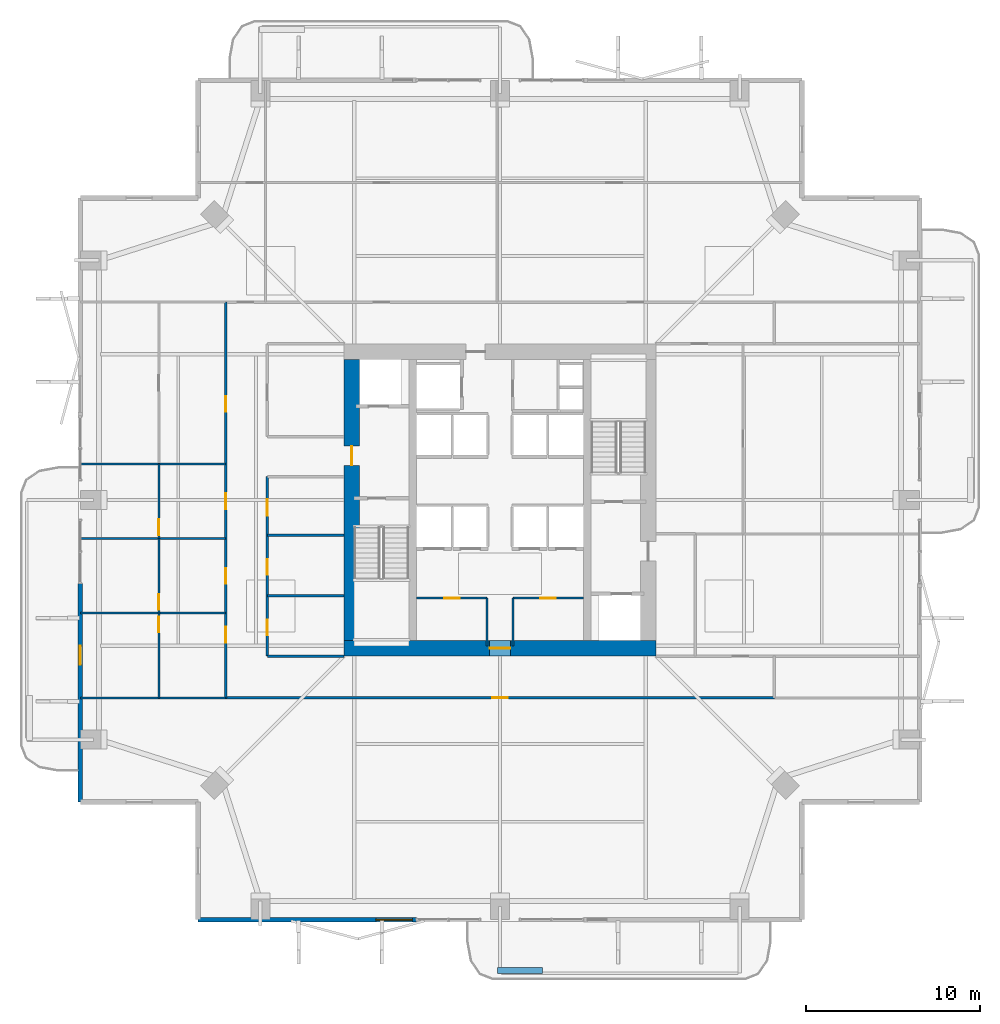
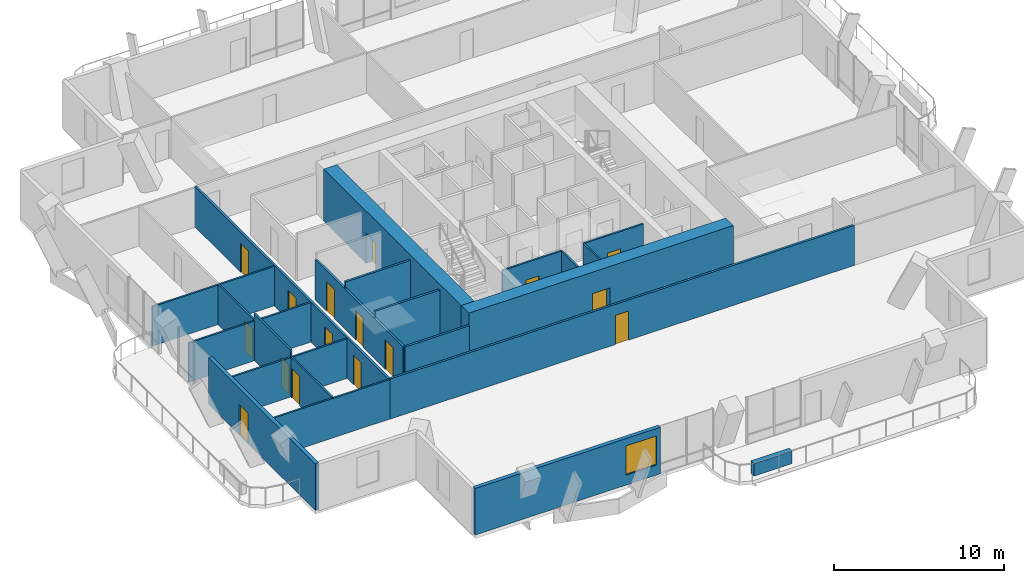
# One storey, part 18 of 24: 22 walls, 16 doors, 1 window, 17 openings.
"""IFC4 building model written with IfcOpenShell, lengths in metres."""

import ifcopenshell
import ifcopenshell.guid

model = None  # the IFC model being written
_history = None  # IfcOwnerHistory: only IFC2X3 demands one
_inside = {}  # id of a spatial element -> (the spatial element, [elements in it])
_under = {}  # id of a project, library or spatial element -> (it, [spatial elements below it])
_declared = {}  # id of a project -> (the project, [libraries it declares])
_typed = {}  # id of a type object -> (the type object, [elements of that type])
_made_of = {}  # id of a material, layer set ... -> (it, [elements and type objects made of it])


def new_model(schema):
    """Start an empty IFC model of exactly this schema.

    Asked for "IFC4X3", IfcOpenShell would pick the latest addendum, in which some entities
    have other attributes; the version numbers below select the first issue.
    IFC2X3 requires an IfcOwnerHistory on every rooted entity: one is made here for all.
    """
    global model, _history
    if schema == "IFC4X3":
        model = ifcopenshell.file(schema_version=(4, 3, 0, 0))
    else:
        model = ifcopenshell.file(schema=schema)
    _inside.clear()
    _under.clear()
    _declared.clear()
    _typed.clear()
    _made_of.clear()
    _history = None
    if model.schema == "IFC2X3":
        org = make("IfcOrganization", Name="unknown")
        user = make(
            "IfcPersonAndOrganization",
            ThePerson=make("IfcPerson", FamilyName="unknown"),
            TheOrganization=org,
        )
        app = make(
            "IfcApplication",
            ApplicationDeveloper=org,
            Version="unknown",
            ApplicationFullName="unknown",
            ApplicationIdentifier="unknown",
        )
        _history = make(
            "IfcOwnerHistory",
            OwningUser=user,
            OwningApplication=app,
            ChangeAction="ADDED",
            CreationDate=0,
        )
    return model


def make(cls, **values):
    """One entity of the class cls with the attributes given. An attribute that is None is left unset."""
    return model.create_entity(
        cls, **{name: value for name, value in values.items() if value is not None}
    )


def rooted(cls, **values):
    """An entity with a GlobalId (a new one), such as an element, a storey or a relation."""
    return make(cls, GlobalId=ifcopenshell.guid.new(), OwnerHistory=_history, **values)


def si_unit(unit_type, name, prefix=None):
    """IfcSIUnit, for example si_unit("LENGTHUNIT", "METRE", prefix="MILLI")."""
    return make("IfcSIUnit", UnitType=unit_type, Prefix=prefix, Name=name)


def assignment(units):
    """IfcUnitAssignment: the units of a project."""
    return None if units is None else make("IfcUnitAssignment", Units=units)


def point(xyz):
    """IfcCartesianPoint."""
    return None if xyz is None else make("IfcCartesianPoint", Coordinates=xyz)


def direction(xyz):
    """IfcDirection."""
    return None if xyz is None else make("IfcDirection", DirectionRatios=xyz)


def frame(location, z_axis=None, x_axis=None):
    """IfcAxis2Placement3D, a coordinate frame: its origin and axes. An axis left out is left unset."""
    return make(
        "IfcAxis2Placement3D",
        Location=point(location),
        Axis=direction(z_axis),
        RefDirection=direction(x_axis),
    )


def frame_2d(location, x_axis=None):
    """IfcAxis2Placement2D, a coordinate frame in the plane: its origin and x axis."""
    return make(
        "IfcAxis2Placement2D", Location=point(location), RefDirection=direction(x_axis)
    )


def origin():
    """The frame at (0, 0, 0) with its axes left unset."""
    return frame((0.0, 0.0, 0.0))


def place(relative_to, where):
    """IfcLocalPlacement: puts the frame where relative to a parent placement (None: the world)."""
    return make(
        "IfcLocalPlacement", PlacementRelTo=relative_to, RelativePlacement=where
    )


def context(
    kind, dimensions, precision=None, world=None, true_north=None, identifier=None
):
    """IfcGeometricRepresentationContext, for example the 3D "Model" context."""
    return make(
        "IfcGeometricRepresentationContext",
        ContextIdentifier=identifier,
        ContextType=kind,
        CoordinateSpaceDimension=dimensions,
        Precision=precision,
        WorldCoordinateSystem=world,
        TrueNorth=true_north,
    )


def subcontext(parent, identifier, kind, view, scale=None):
    """IfcGeometricRepresentationSubContext, for example "Body" below "Model"."""
    return make(
        "IfcGeometricRepresentationSubContext",
        ContextIdentifier=identifier,
        ContextType=kind,
        ParentContext=parent,
        TargetScale=scale,
        TargetView=view,
    )


def project(units=None, contexts=None):
    """IfcProject with its units and contexts."""
    return rooted(
        "IfcProject",
        Name="project",
        RepresentationContexts=contexts,
        UnitsInContext=assignment(units),
    )


def spatial(cls, under=None, at=None, **own):
    """A site, building, storey or space (cls), placed at a placement, below another one or the project."""
    s = rooted(cls, ObjectPlacement=at, **own)
    if under is not None:
        _under.setdefault(under.id(), (under, []))[1].append(s)
    return s


def profile(cls, at=None, kind="AREA", **sizes):
    """A parametric profile (cls). Its sizes go by their IFC names, for example OverallWidth=200.0."""
    return make(cls, ProfileType=kind, Position=at, **sizes)


def rectangle(**sizes):
    """IfcRectangleProfileDef."""
    return profile("IfcRectangleProfileDef", **sizes)


def extrude(swept, where, along, depth):
    """IfcExtrudedAreaSolid: the profile swept, set in the frame where, extruded along a direction by depth."""
    return make(
        "IfcExtrudedAreaSolid",
        SweptArea=swept,
        Position=where,
        ExtrudedDirection=direction(along),
        Depth=depth,
    )


def shape(context_of_items, identifier, shape_type, items):
    """IfcShapeRepresentation: the items that make up one representation, for example the "Body"."""
    return make(
        "IfcShapeRepresentation",
        ContextOfItems=context_of_items,
        RepresentationIdentifier=identifier,
        RepresentationType=shape_type,
        Items=items,
    )


def material(Name=None, Category=None):
    """IfcMaterial."""
    return make("IfcMaterial", Name=Name, Category=Category)


def layer(
    of_material, thickness, ventilated=None, Name=None, Category=None, Priority=None
):
    """IfcMaterialLayer: one layer of a wall or slab, of a material (None: an air gap)."""
    return make(
        "IfcMaterialLayer",
        Material=of_material,
        LayerThickness=thickness,
        IsVentilated=ventilated,
        Name=Name,
        Category=Category,
        Priority=Priority,
    )


def layer_set(layers, Name=None):
    """IfcMaterialLayerSet."""
    return make("IfcMaterialLayerSet", MaterialLayers=layers, LayerSetName=Name)


def made_of(thing, what):
    """Note that an element or type object is made of a material, layer set ...; save() writes the relation."""
    if what is not None:
        _made_of.setdefault(what.id(), (what, []))[1].append(thing)
    return thing


def type_object(cls, material=None, **own):
    """A type object (cls), such as IfcWallType, which elements share."""
    return made_of(rooted(cls, **own), material)


def element(
    cls,
    number,
    at=None,
    inside=None,
    cuts=None,
    type_object=None,
    material=None,
    context=None,
    identifier="Body",
    shape_type=None,
    held_by="IfcProductDefinitionShape",
    body=None,
    shapes=None,
    **own,
):
    """One element of the class cls, such as IfcWall. Its Tag is "e" and its number.

    at: its placement. inside: the storey or other place that contains it. cuts: it is an
    opening in that element (IfcRelVoidsElement). A single representation is given by context,
    identifier, shape_type and body (its items); several are given by shapes. held_by: the class
    of the entity that holds the representations. save() writes the other relations.
    """
    e = rooted(cls, Tag="e%d" % number, ObjectPlacement=at, **own)
    if body is not None:
        shapes = [shape(context, identifier, shape_type, body)]
    if shapes is not None:
        e.Representation = make(held_by, Representations=shapes)
    if inside is not None:
        _inside.setdefault(inside.id(), (inside, []))[1].append(e)
    if cuts is not None:
        rooted(
            "IfcRelVoidsElement", RelatingBuildingElement=cuts, RelatedOpeningElement=e
        )
    if type_object is not None:
        _typed.setdefault(type_object.id(), (type_object, []))[1].append(e)
    return made_of(e, material)


def fill(opening, filler):
    """IfcRelFillsElement: the door or window that sits in an opening."""
    return rooted(
        "IfcRelFillsElement",
        RelatingOpeningElement=opening,
        RelatedBuildingElement=filler,
    )


def aggregate(whole, parts):
    """IfcRelAggregates: a whole, such as a stair, and the parts it consists of."""
    return rooted("IfcRelAggregates", RelatingObject=whole, RelatedObjects=parts)


def save(model, path):
    """Write the relations noted so far, then the file.

    IfcRelAggregates (storeys below a building ...), IfcRelContainedInSpatialStructure (elements
    in a storey), IfcRelDefinesByType, IfcRelAssociatesMaterial and IfcRelDeclares: one each for
    every whole, place, type object, material and project.
    """
    for whole, parts in _under.values():
        aggregate(whole, parts)
    for where, things in _inside.values():
        rooted(
            "IfcRelContainedInSpatialStructure",
            RelatedElements=things,
            RelatingStructure=where,
        )
    for kind, things in _typed.values():
        rooted("IfcRelDefinesByType", RelatedObjects=things, RelatingType=kind)
    for what, things in _made_of.values():
        rooted("IfcRelAssociatesMaterial", RelatedObjects=things, RelatingMaterial=what)
    for by, libraries in _declared.values():
        rooted("IfcRelDeclares", RelatingContext=by, RelatedDefinitions=libraries)
    model.write(path)


model = new_model("IFC4")

# Units and contexts
model_context = context("Model", 3, precision=1e-05, world=origin(), true_north=direction((0.0, 1.0)))
body_context = subcontext(model_context, "Body", "Model", "MODEL_VIEW")
ifc_project = project(units=[si_unit("LENGTHUNIT", "METRE"), si_unit("AREAUNIT", "SQUARE_METRE"), si_unit("VOLUMEUNIT", "CUBIC_METRE"), si_unit("PLANEANGLEUNIT", "RADIAN"), si_unit("MASSUNIT", "GRAM", prefix="KILO")], contexts=[model_context])

# Site, building, storey
site_placement = place(None, origin())
site = spatial("IfcSite", under=ifc_project, at=site_placement, CompositionType="ELEMENT")
building_placement = place(site_placement, origin())
building = spatial("IfcBuilding", under=site, at=building_placement, Name="Belovzor Exchange Tower", CompositionType="ELEMENT")
storey_placement = place(building_placement, frame((0.0, 0.0, 190.800048828125)))
storey = spatial("IfcBuildingStorey", under=building, at=storey_placement, Name="L47", CompositionType="ELEMENT", Elevation=190.800048828125)

# Wall, opening, door
ifc_material_1 = material(Name="Acoustic Plasterboard on Galvanised Studs", Category="gypsum")
ifc_layer_1 = layer(ifc_material_1, 0.1201171875)
ifc_layer_set_1 = layer_set([ifc_layer_1], Name="Acoustic Plasterboard on Galvanised Studs")
wall_type_1 = type_object("IfcWallType", Name="Acoustic Double-Stud Partition Wall 120", PredefinedType="PARTITIONING", material=ifc_layer_set_1)
wall_1_placement = place(storey_placement, frame((9.14990234375, 17.39990234375, 0.0), z_axis=(0.0, 0.0, 1.0), x_axis=(0.0, 1.0, 0.0)))
wall_1 = element("IfcWall", 1, at=wall_1_placement, inside=storey, type_object=wall_type_1, Name="W-P120 Partition Wall W-L47-WHDIV-0", PredefinedType="PARTITIONING", context=body_context, shape_type="SweptSolid", body=[
    extrude(rectangle(XDim=4.882080078125, YDim=0.1201171875, at=frame_2d((2.44091796875, 0.0))), origin(), (0.0, 0.0, 1.0), 2.885009765625),
])
opening_1_placement = place(wall_1_placement, frame((3.781982421875, 0.0, 0.0)))
opening_1 = element("IfcOpeningElement", 2, at=opening_1_placement, cuts=wall_1, Name="Opening D-INT-090", PredefinedType="OPENING", context=body_context, shape_type="SweptSolid", body=[
    extrude(rectangle(XDim=0.89990234375, YDim=2.10009765625, at=frame_2d((0.449951171875, 1.050048828125))), frame((0.0, 0.070068359375, 0.0), z_axis=(0.0, -1.0, 0.0), x_axis=(1.0, 0.0, 0.0)), (0.0, 0.0, 1.0), 0.14013671875),
])
ifc_material_2 = material(Name="Veneered Hardwood Acoustic Leaf", Category="wood")
door_type_1 = type_object("IfcDoorType", Name="Trading Suite Acoustic Single Door 900x2100", OperationType="NOTDEFINED", PredefinedType="DOOR", material=ifc_material_2)
door_1_placement = place(opening_1_placement, origin())
door_1 = element("IfcDoor", 3, at=door_1_placement, inside=storey, type_object=door_type_1, Name="D-INT-090 Trading Suite Acoustic Single Door 900x2100", OperationType="SINGLE_SWING_LEFT", OverallHeight=2.10009765625, OverallWidth=0.89990234375, PredefinedType="DOOR", context=body_context, shape_type="SweptSolid", body=[
    extrude(rectangle(XDim=0.89990234375, YDim=2.10009765625, at=frame_2d((0.449951171875, 1.050048828125))), frame((0.0, 0.02490234375, 0.0), z_axis=(0.0, -1.0, 0.0), x_axis=(1.0, 0.0, 0.0)), (0.0, 0.0, 1.0), 0.050048828125),
])
fill(opening_1, door_1)

# Wall
wall_2_placement = place(storey_placement, frame((4.6298828125, 22.281982421875, 0.0), z_axis=(0.0, 0.0, 1.0), x_axis=(1.0, 0.0, 0.0)))
element("IfcWall", 4, at=wall_2_placement, inside=storey, type_object=wall_type_1, Name="W-P120 Partition Wall W-L47-WDIV-1", PredefinedType="PARTITIONING", context=body_context, shape_type="SweptSolid", body=[
    extrude(rectangle(XDim=8.3701171875, YDim=0.1201171875, at=frame_2d((4.18505859375, 0.0))), origin(), (0.0, 0.0, 1.0), 2.8349609375),
])

# Wall, opening, door
wall_3_placement = place(storey_placement, frame((9.14990234375, 22.281982421875, 0.0), z_axis=(0.0, 0.0, 1.0), x_axis=(0.0, 1.0, 0.0)))
wall_3 = element("IfcWall", 5, at=wall_3_placement, inside=storey, type_object=wall_type_1, Name="W-P120 Partition Wall W-L47-WHDIV-1", PredefinedType="PARTITIONING", context=body_context, shape_type="SweptSolid", body=[
    extrude(rectangle(XDim=4.298095703125, YDim=0.1201171875, at=frame_2d((2.14892578125, 0.0))), origin(), (0.0, 0.0, 1.0), 3.349853515625),
])
opening_2_placement = place(wall_3_placement, frame((0.199951171875, 0.0, 0.0)))
opening_2 = element("IfcOpeningElement", 6, at=opening_2_placement, cuts=wall_3, Name="Opening D-INT-090", PredefinedType="OPENING", context=body_context, shape_type="SweptSolid", body=[
    extrude(rectangle(XDim=0.89990234375, YDim=2.10009765625, at=frame_2d((0.449951171875, 1.050048828125))), frame((0.0, 0.070068359375, 0.0), z_axis=(0.0, -1.0, 0.0), x_axis=(1.0, 0.0, 0.0)), (0.0, 0.0, 1.0), 0.14013671875),
])
door_2_placement = place(opening_2_placement, origin())
door_2 = element("IfcDoor", 7, at=door_2_placement, inside=storey, type_object=door_type_1, Name="D-INT-090 Trading Suite Acoustic Single Door 900x2100", OperationType="SINGLE_SWING_LEFT", OverallHeight=2.10009765625, OverallWidth=0.89990234375, PredefinedType="DOOR", context=body_context, shape_type="SweptSolid", body=[
    extrude(rectangle(XDim=0.89990234375, YDim=2.10009765625, at=frame_2d((0.449951171875, 1.050048828125))), frame((0.0, 0.02490234375, 0.0), z_axis=(0.0, -1.0, 0.0), x_axis=(1.0, 0.0, 0.0)), (0.0, 0.0, 1.0), 0.050048828125),
])
fill(opening_2, door_2)

# Wall
wall_4_placement = place(storey_placement, frame((4.6298828125, 26.580078125, 0.0), z_axis=(0.0, 0.0, 1.0), x_axis=(1.0, 0.0, 0.0)))
element("IfcWall", 8, at=wall_4_placement, inside=storey, type_object=wall_type_1, Name="W-P120 Partition Wall W-L47-WDIV-2", PredefinedType="PARTITIONING", context=body_context, shape_type="SweptSolid", body=[
    extrude(rectangle(XDim=8.3701171875, YDim=0.1201171875, at=frame_2d((4.18505859375, 0.0))), origin(), (0.0, 0.0, 1.0), 2.8349609375),
])

# Wall, opening, door
wall_5_placement = place(storey_placement, frame((9.14990234375, 26.580078125, 0.0), z_axis=(0.0, 0.0, 1.0), x_axis=(0.0, 1.0, 0.0)))
wall_5 = element("IfcWall", 9, at=wall_5_placement, inside=storey, type_object=wall_type_1, Name="W-P120 Partition Wall W-L47-WHDIV-2", PredefinedType="PARTITIONING", context=body_context, shape_type="SweptSolid", body=[
    extrude(rectangle(XDim=4.296875, YDim=0.1201171875, at=frame_2d((2.1484375, 0.0))), origin(), (0.0, 0.0, 1.0), 2.885009765625),
])
opening_3_placement = place(wall_5_placement, frame((0.199951171875, 0.0, 0.0)))
opening_3 = element("IfcOpeningElement", 10, at=opening_3_placement, cuts=wall_5, Name="Opening D-INT-090", PredefinedType="OPENING", context=body_context, shape_type="SweptSolid", body=[
    extrude(rectangle(XDim=0.89990234375, YDim=2.10009765625, at=frame_2d((0.449951171875, 1.050048828125))), frame((0.0, 0.070068359375, 0.0), z_axis=(0.0, -1.0, 0.0), x_axis=(1.0, 0.0, 0.0)), (0.0, 0.0, 1.0), 0.14013671875),
])
door_3_placement = place(opening_3_placement, origin())
door_3 = element("IfcDoor", 11, at=door_3_placement, inside=storey, type_object=door_type_1, Name="D-INT-090 Trading Suite Acoustic Single Door 900x2100", OperationType="SINGLE_SWING_LEFT", OverallHeight=2.10009765625, OverallWidth=0.89990234375, PredefinedType="DOOR", context=body_context, shape_type="SweptSolid", body=[
    extrude(rectangle(XDim=0.89990234375, YDim=2.10009765625, at=frame_2d((0.449951171875, 1.050048828125))), frame((0.0, 0.02490234375, 0.0), z_axis=(0.0, -1.0, 0.0), x_axis=(1.0, 0.0, 0.0)), (0.0, 0.0, 1.0), 0.050048828125),
])
fill(opening_3, door_3)

# Walls
for number, where, z_axis, x_axis, name in (
    (12, (4.6298828125, 30.876953125, 0.0), (0.0, 0.0, 1.0), (1.0, 0.0, 0.0), "W-P120 Partition Wall W-L47-WDIV-3"),
    (13, (4.6298828125, 17.39990234375, 0.0), (0.0, 0.0, 1.0), (1.0, 0.0, 0.0), "W-P120 Partition Wall W-L47-END-SW"),
):
    element("IfcWall", number, at=place(storey_placement, frame(where, z_axis=z_axis, x_axis=x_axis)), inside=storey, type_object=wall_type_1, Name=name, PredefinedType="PARTITIONING", context=body_context, shape_type="SweptSolid", body=[
        extrude(rectangle(XDim=8.3701171875, YDim=0.1201171875, at=frame_2d((4.18505859375, 0.0))), origin(), (0.0, 0.0, 1.0), 2.8349609375),
    ])

# Wall, opening, door
ifc_material_3 = material(Name="Fire-Rated Plasterboard on Galvanised Studs", Category="gypsum")
ifc_layer_2 = layer(ifc_material_3, 0.1201171875)
ifc_layer_set_2 = layer_set([ifc_layer_2], Name="Fire-Rated Plasterboard on Galvanised Studs")
wall_type_2 = type_object("IfcWallType", Name="Fire-Rated Double-Stud Partition Wall 120", PredefinedType="PARTITIONING", material=ifc_layer_set_2)
wall_6_placement = place(storey_placement, frame((24.0, 23.14990234375, 0.0), z_axis=(0.0, 0.0, 1.0), x_axis=(1.0, 0.0, 0.0)))
wall_6 = element("IfcWall", 14, at=wall_6_placement, inside=storey, type_object=wall_type_2, Name="W-P120F Partition Wall W-CRL-L47-WN", PredefinedType="PARTITIONING", context=body_context, shape_type="SweptSolid", body=[
    extrude(rectangle(XDim=4.050048828125, YDim=0.1201171875, at=frame_2d((2.02490234375, 0.0))), origin(), (0.0, 0.0, 1.0), 3.349853515625),
])
opening_4_placement = place(wall_6_placement, frame((1.574951171875, 0.0, 0.0)))
opening_4 = element("IfcOpeningElement", 15, at=opening_4_placement, cuts=wall_6, Name="Opening D-FD60-090", PredefinedType="OPENING", context=body_context, shape_type="SweptSolid", body=[
    extrude(rectangle(XDim=0.89990234375, YDim=2.10009765625, at=frame_2d((0.449951171875, 1.050048828125))), frame((0.0, 0.070068359375, 0.0), z_axis=(0.0, -1.0, 0.0), x_axis=(1.0, 0.0, 0.0)), (0.0, 0.0, 1.0), 0.14013671875),
])
ifc_material_4 = material(Name="Acoustic Timber Fire Leaf", Category="wood")
door_type_2 = type_object("IfcDoorType", Name="Core Service & Restroom Fire Door 900x2100", OperationType="NOTDEFINED", PredefinedType="DOOR", material=ifc_material_4)
door_4_placement = place(opening_4_placement, origin())
door_4 = element("IfcDoor", 16, at=door_4_placement, inside=storey, type_object=door_type_2, Name="D-FD60-090 Core Service & Restroom Fire Door 900x2100", OperationType="SINGLE_SWING_LEFT", OverallHeight=2.10009765625, OverallWidth=0.89990234375, PredefinedType="DOOR", context=body_context, shape_type="SweptSolid", body=[
    extrude(rectangle(XDim=0.89990234375, YDim=2.10009765625, at=frame_2d((0.449951171875, 1.050048828125))), frame((0.0, 0.02490234375, 0.0), z_axis=(0.0, -1.0, 0.0), x_axis=(1.0, 0.0, 0.0)), (0.0, 0.0, 1.0), 0.050048828125),
])
fill(opening_4, door_4)

# Wall
wall_7_placement = place(storey_placement, frame((28.050048828125, 20.39990234375, 0.0), z_axis=(0.0, 0.0, 1.0), x_axis=(0.0, 1.0, 0.0)))
element("IfcWall", 17, at=wall_7_placement, inside=storey, type_object=wall_type_2, Name="W-P120F Partition Wall W-CRL-L47-WE", PredefinedType="PARTITIONING", context=body_context, shape_type="SweptSolid", body=[
    extrude(rectangle(XDim=2.75, YDim=0.1201171875, at=frame_2d((1.375, 0.0))), origin(), (0.0, 0.0, 1.0), 3.349853515625),
])

# Wall, opening, door
wall_8_placement = place(storey_placement, frame((29.550048828125, 23.14990234375, 0.0), z_axis=(0.0, 0.0, 1.0), x_axis=(1.0, 0.0, 0.0)))
wall_8 = element("IfcWall", 18, at=wall_8_placement, inside=storey, type_object=wall_type_2, Name="W-P120F Partition Wall W-CRL-L47-EN", PredefinedType="PARTITIONING", context=body_context, shape_type="SweptSolid", body=[
    extrude(rectangle(XDim=4.050048828125, YDim=0.1201171875, at=frame_2d((2.02490234375, 0.0))), origin(), (0.0, 0.0, 1.0), 3.349853515625),
])
opening_5_placement = place(wall_8_placement, frame((1.574951171875, 0.0, 0.0)))
opening_5 = element("IfcOpeningElement", 19, at=opening_5_placement, cuts=wall_8, Name="Opening D-FD60-090", PredefinedType="OPENING", context=body_context, shape_type="SweptSolid", body=[
    extrude(rectangle(XDim=0.89990234375, YDim=2.10009765625, at=frame_2d((0.449951171875, 1.050048828125))), frame((0.0, 0.070068359375, 0.0), z_axis=(0.0, -1.0, 0.0), x_axis=(1.0, 0.0, 0.0)), (0.0, 0.0, 1.0), 0.14013671875),
])
door_5_placement = place(opening_5_placement, origin())
door_5 = element("IfcDoor", 20, at=door_5_placement, inside=storey, type_object=door_type_2, Name="D-FD60-090 Core Service & Restroom Fire Door 900x2100", OperationType="SINGLE_SWING_RIGHT", OverallHeight=2.10009765625, OverallWidth=0.89990234375, PredefinedType="DOOR", context=body_context, shape_type="SweptSolid", body=[
    extrude(rectangle(XDim=0.89990234375, YDim=2.10009765625, at=frame_2d((0.449951171875, 1.050048828125))), frame((0.0, 0.02490234375, 0.0), z_axis=(0.0, -1.0, 0.0), x_axis=(1.0, 0.0, 0.0)), (0.0, 0.0, 1.0), 0.050048828125),
])
fill(opening_5, door_5)

# Walls
wall_9_placement = place(storey_placement, frame((29.550048828125, 20.39990234375, 0.0), z_axis=(0.0, 0.0, 1.0), x_axis=(0.0, 1.0, 0.0)))
element("IfcWall", 21, at=wall_9_placement, inside=storey, type_object=wall_type_2, Name="W-P120F Partition Wall W-CRL-L47-EW", PredefinedType="PARTITIONING", context=body_context, shape_type="SweptSolid", body=[
    extrude(rectangle(XDim=2.75, YDim=0.1201171875, at=frame_2d((1.375, 0.0))), origin(), (0.0, 0.0, 1.0), 3.349853515625),
])
ifc_material_5 = material(Name="Fire-Rated Gypsum Block and Mineral Wool", Category="gypsum")
ifc_layer_3 = layer(ifc_material_5, 0.14990234375)
ifc_layer_set_3 = layer_set([ifc_layer_3], Name="Fire-Rated Gypsum Block and Mineral Wool")
wall_type_3 = type_object("IfcWallType", Name="Fire-Rated Gypsum Block Corridor Wall 150", PredefinedType="PARTITIONING", material=ifc_layer_set_3)
wall_10_placement = place(storey_placement, frame((15.39990234375, 19.800048828125, 0.0), z_axis=(0.0, 0.0, 1.0), x_axis=(1.0, 0.0, 0.0)))
element("IfcWall", 22, at=wall_10_placement, inside=storey, type_object=wall_type_3, Name="W-P150 Partition Wall W-L47-WIC-S", PredefinedType="PARTITIONING", context=body_context, shape_type="SweptSolid", body=[
    extrude(rectangle(XDim=4.400146484375, YDim=0.14990234375, at=frame_2d((2.2001953125, 0.0))), origin(), (0.0, 0.0, 1.0), 2.885009765625),
])
for number, where, z_axis, x_axis, name in (
    (23, (15.39990234375, 23.27490234375, 0.0), (0.0, 0.0, 1.0), (1.0, 0.0, 0.0), "W-P150 Partition Wall W-L47-WIC-D1"),
    (24, (15.39990234375, 26.77490234375, 0.0), (0.0, 0.0, 1.0), (1.0, 0.0, 0.0), "W-P150 Partition Wall W-L47-WIC-D2"),
):
    element("IfcWall", number, at=place(storey_placement, frame(where, z_axis=z_axis, x_axis=x_axis)), inside=storey, type_object=wall_type_3, Name=name, PredefinedType="PARTITIONING", context=body_context, shape_type="SweptSolid", body=[
        extrude(rectangle(XDim=4.400146484375, YDim=0.14990234375, at=frame_2d((2.2001953125, 0.0))), origin(), (0.0, 0.0, 1.0), 3.349853515625),
    ])

# Wall, openings, doors
wall_11_placement = place(storey_placement, frame((15.39990234375, 19.800048828125, 0.0), z_axis=(0.0, 0.0, 1.0), x_axis=(0.0, 1.0, 0.0)))
wall_11 = element("IfcWall", 25, at=wall_11_placement, inside=storey, type_object=wall_type_3, Name="W-P150 Partition Wall W-L47-WIE-S", PredefinedType="PARTITIONING", context=body_context, shape_type="SweptSolid", body=[
    extrude(rectangle(XDim=10.349853515625, YDim=0.14990234375, at=frame_2d((5.1748046875, 0.0))), origin(), (0.0, 0.0, 1.0), 2.885009765625),
])
opening_6_placement = place(wall_11_placement, frame((1.199951171875, 0.0, 0.0)))
opening_6 = element("IfcOpeningElement", 26, at=opening_6_placement, cuts=wall_11, Name="Opening D-FD60-090", PredefinedType="OPENING", context=body_context, shape_type="SweptSolid", body=[
    extrude(rectangle(XDim=0.89990234375, YDim=2.10009765625, at=frame_2d((0.449951171875, 1.050048828125))), frame((0.0, 0.0849609375, 0.0), z_axis=(0.0, -1.0, 0.0), x_axis=(1.0, 0.0, 0.0)), (0.0, 0.0, 1.0), 0.169921875),
])
opening_7_placement = place(wall_11_placement, frame((4.699951171875, 0.0, 0.0)))
opening_7 = element("IfcOpeningElement", 27, at=opening_7_placement, cuts=wall_11, Name="Opening D-FD60-090", PredefinedType="OPENING", context=body_context, shape_type="SweptSolid", body=[
    extrude(rectangle(XDim=0.89990234375, YDim=2.10009765625, at=frame_2d((0.449951171875, 1.050048828125))), frame((0.0, 0.0849609375, 0.0), z_axis=(0.0, -1.0, 0.0), x_axis=(1.0, 0.0, 0.0)), (0.0, 0.0, 1.0), 0.169921875),
])
opening_8_placement = place(wall_11_placement, frame((8.10009765625, 0.0, 0.0)))
opening_8 = element("IfcOpeningElement", 28, at=opening_8_placement, cuts=wall_11, Name="Opening D-FD60-095", PredefinedType="OPENING", context=body_context, shape_type="SweptSolid", body=[
    extrude(rectangle(XDim=0.949951171875, YDim=2.10009765625, at=frame_2d((0.47509765625, 1.050048828125))), frame((0.0, 0.0849609375, 0.0), z_axis=(0.0, -1.0, 0.0), x_axis=(1.0, 0.0, 0.0)), (0.0, 0.0, 1.0), 0.169921875),
])
ifc_material_6 = material(Name="Moisture-Resistant Timber Fire Leaf", Category="wood")
door_type_3 = type_object("IfcDoorType", Name="Accessible Restroom Wide Fire Door 950x2100", OperationType="NOTDEFINED", PredefinedType="DOOR", material=ifc_material_6)
door_6_placement = place(opening_8_placement, origin())
door_6 = element("IfcDoor", 29, at=door_6_placement, inside=storey, type_object=door_type_3, Name="D-FD60-095 Accessible Restroom Wide Fire Door 950x2100", OperationType="SINGLE_SWING_LEFT", OverallHeight=2.10009765625, OverallWidth=0.949951171875, PredefinedType="DOOR", context=body_context, shape_type="SweptSolid", body=[
    extrude(rectangle(XDim=0.949951171875, YDim=2.10009765625, at=frame_2d((0.47509765625, 1.050048828125))), frame((0.0, 0.02490234375, 0.0), z_axis=(0.0, -1.0, 0.0), x_axis=(1.0, 0.0, 0.0)), (0.0, 0.0, 1.0), 0.050048828125),
])
fill(opening_8, door_6)
door_7_placement = place(opening_6_placement, origin())
door_7 = element("IfcDoor", 30, at=door_7_placement, inside=storey, type_object=door_type_2, Name="D-FD60-090 Core Service & Restroom Fire Door 900x2100", OperationType="SINGLE_SWING_LEFT", OverallHeight=2.10009765625, OverallWidth=0.89990234375, PredefinedType="DOOR", context=body_context, shape_type="SweptSolid", body=[
    extrude(rectangle(XDim=0.89990234375, YDim=2.10009765625, at=frame_2d((0.449951171875, 1.050048828125))), frame((0.0, 0.02490234375, 0.0), z_axis=(0.0, -1.0, 0.0), x_axis=(1.0, 0.0, 0.0)), (0.0, 0.0, 1.0), 0.050048828125),
])
fill(opening_6, door_7)
door_8_placement = place(opening_7_placement, origin())
door_8 = element("IfcDoor", 31, at=door_8_placement, inside=storey, type_object=door_type_2, Name="D-FD60-090 Core Service & Restroom Fire Door 900x2100", OperationType="SINGLE_SWING_RIGHT", OverallHeight=2.10009765625, OverallWidth=0.89990234375, PredefinedType="DOOR", context=body_context, shape_type="SweptSolid", body=[
    extrude(rectangle(XDim=0.89990234375, YDim=2.10009765625, at=frame_2d((0.449951171875, 1.050048828125))), frame((0.0, 0.02490234375, 0.0), z_axis=(0.0, -1.0, 0.0), x_axis=(1.0, 0.0, 0.0)), (0.0, 0.0, 1.0), 0.050048828125),
])
fill(opening_7, door_8)

# Wall, opening, door
wall_12_placement = place(storey_placement, frame((13.0, 17.39990234375, 0.0), z_axis=(0.0, 0.0, 1.0), x_axis=(1.0, 0.0, 0.0)))
wall_12 = element("IfcWall", 32, at=wall_12_placement, inside=storey, type_object=wall_type_3, Name="W-P150 Partition Wall W-L47-CS", PredefinedType="PARTITIONING", context=body_context, shape_type="SweptSolid", body=[
    extrude(rectangle(XDim=31.60009765625, YDim=0.14990234375, at=frame_2d((15.800048828125, 0.0))), origin(), (0.0, 0.0, 1.0), 2.885009765625),
])
opening_9_placement = place(wall_12_placement, frame((15.35009765625, 0.0, 0.0)))
opening_9 = element("IfcOpeningElement", 33, at=opening_9_placement, cuts=wall_12, Name="Opening D-INT-090", PredefinedType="OPENING", context=body_context, shape_type="SweptSolid", body=[
    extrude(rectangle(XDim=0.89990234375, YDim=2.10009765625, at=frame_2d((0.449951171875, 1.050048828125))), frame((0.0, 0.0849609375, 0.0), z_axis=(0.0, -1.0, 0.0), x_axis=(1.0, 0.0, 0.0)), (0.0, 0.0, 1.0), 0.169921875),
])
door_9_placement = place(opening_9_placement, origin())
door_9 = element("IfcDoor", 34, at=door_9_placement, inside=storey, type_object=door_type_1, Name="D-INT-090 Trading Suite Acoustic Single Door 900x2100", OperationType="SINGLE_SWING_LEFT", OverallHeight=2.10009765625, OverallWidth=0.89990234375, PredefinedType="DOOR", context=body_context, shape_type="SweptSolid", body=[
    extrude(rectangle(XDim=0.89990234375, YDim=2.10009765625, at=frame_2d((0.449951171875, 1.050048828125))), frame((0.0, 0.02490234375, 0.0), z_axis=(0.0, -1.0, 0.0), x_axis=(1.0, 0.0, 0.0)), (0.0, 0.0, 1.0), 0.050048828125),
])
fill(opening_9, door_9)

# Wall, openings, doors
wall_13_placement = place(storey_placement, frame((13.0, 17.39990234375, 0.0), z_axis=(0.0, 0.0, 1.0), x_axis=(0.0, 1.0, 0.0)))
wall_13 = element("IfcWall", 35, at=wall_13_placement, inside=storey, type_object=wall_type_3, Name="W-P150 Partition Wall W-L47-CWO", PredefinedType="PARTITIONING", context=body_context, shape_type="SweptSolid", body=[
    extrude(rectangle(XDim=22.800048828125, YDim=0.14990234375, at=frame_2d((11.39990234375, 0.0))), origin(), (0.0, 0.0, 1.0), 2.885009765625),
])
opening_10_placement = place(wall_13_placement, frame((3.19091796875, 0.0, 0.0)))
opening_10 = element("IfcOpeningElement", 36, at=opening_10_placement, cuts=wall_13, Name="Opening D-INT-090", PredefinedType="OPENING", context=body_context, shape_type="SweptSolid", body=[
    extrude(rectangle(XDim=0.89990234375, YDim=2.10009765625, at=frame_2d((0.449951171875, 1.050048828125))), frame((0.0, 0.0849609375, 0.0), z_axis=(0.0, -1.0, 0.0), x_axis=(1.0, 0.0, 0.0)), (0.0, 0.0, 1.0), 0.169921875),
])
opening_11_placement = place(wall_13_placement, frame((6.5810546875, 0.0, 0.0)))
opening_11 = element("IfcOpeningElement", 37, at=opening_11_placement, cuts=wall_13, Name="Opening D-INT-090", PredefinedType="OPENING", context=body_context, shape_type="SweptSolid", body=[
    extrude(rectangle(XDim=0.89990234375, YDim=2.10009765625, at=frame_2d((0.449951171875, 1.050048828125))), frame((0.0, 0.0849609375, 0.0), z_axis=(0.0, -1.0, 0.0), x_axis=(1.0, 0.0, 0.0)), (0.0, 0.0, 1.0), 0.169921875),
])
opening_12_placement = place(wall_13_placement, frame((10.8779296875, 0.0, 0.0)))
opening_12 = element("IfcOpeningElement", 38, at=opening_12_placement, cuts=wall_13, Name="Opening D-INT-090", PredefinedType="OPENING", context=body_context, shape_type="SweptSolid", body=[
    extrude(rectangle(XDim=0.89990234375, YDim=2.10009765625, at=frame_2d((0.449951171875, 1.050048828125))), frame((0.0, 0.0849609375, 0.0), z_axis=(0.0, -1.0, 0.0), x_axis=(1.0, 0.0, 0.0)), (0.0, 0.0, 1.0), 0.169921875),
])
opening_13_placement = place(wall_13_placement, frame((16.488037109375, 0.0, 0.0)))
opening_13 = element("IfcOpeningElement", 39, at=opening_13_placement, cuts=wall_13, Name="Opening D-INT-090", PredefinedType="OPENING", context=body_context, shape_type="SweptSolid", body=[
    extrude(rectangle(XDim=0.89990234375, YDim=2.10009765625, at=frame_2d((0.449951171875, 1.050048828125))), frame((0.0, 0.0849609375, 0.0), z_axis=(0.0, -1.0, 0.0), x_axis=(1.0, 0.0, 0.0)), (0.0, 0.0, 1.0), 0.169921875),
])
door_10_placement = place(opening_10_placement, origin())
door_10 = element("IfcDoor", 40, at=door_10_placement, inside=storey, type_object=door_type_1, Name="D-INT-090 Trading Suite Acoustic Single Door 900x2100", OperationType="SINGLE_SWING_LEFT", OverallHeight=2.10009765625, OverallWidth=0.89990234375, PredefinedType="DOOR", context=body_context, shape_type="SweptSolid", body=[
    extrude(rectangle(XDim=0.89990234375, YDim=2.10009765625, at=frame_2d((0.449951171875, 1.050048828125))), frame((0.0, 0.02490234375, 0.0), z_axis=(0.0, -1.0, 0.0), x_axis=(1.0, 0.0, 0.0)), (0.0, 0.0, 1.0), 0.050048828125),
])
fill(opening_10, door_10)
door_11_placement = place(opening_11_placement, origin())
door_11 = element("IfcDoor", 41, at=door_11_placement, inside=storey, type_object=door_type_1, Name="D-INT-090 Trading Suite Acoustic Single Door 900x2100", OperationType="SINGLE_SWING_LEFT", OverallHeight=2.10009765625, OverallWidth=0.89990234375, PredefinedType="DOOR", context=body_context, shape_type="SweptSolid", body=[
    extrude(rectangle(XDim=0.89990234375, YDim=2.10009765625, at=frame_2d((0.449951171875, 1.050048828125))), frame((0.0, 0.02490234375, 0.0), z_axis=(0.0, -1.0, 0.0), x_axis=(1.0, 0.0, 0.0)), (0.0, 0.0, 1.0), 0.050048828125),
])
fill(opening_11, door_11)
door_12_placement = place(opening_12_placement, origin())
door_12 = element("IfcDoor", 42, at=door_12_placement, inside=storey, type_object=door_type_1, Name="D-INT-090 Trading Suite Acoustic Single Door 900x2100", OperationType="SINGLE_SWING_LEFT", OverallHeight=2.10009765625, OverallWidth=0.89990234375, PredefinedType="DOOR", context=body_context, shape_type="SweptSolid", body=[
    extrude(rectangle(XDim=0.89990234375, YDim=2.10009765625, at=frame_2d((0.449951171875, 1.050048828125))), frame((0.0, 0.02490234375, 0.0), z_axis=(0.0, -1.0, 0.0), x_axis=(1.0, 0.0, 0.0)), (0.0, 0.0, 1.0), 0.050048828125),
])
fill(opening_12, door_12)
door_13_placement = place(opening_13_placement, origin())
door_13 = element("IfcDoor", 43, at=door_13_placement, inside=storey, type_object=door_type_1, Name="D-INT-090 Trading Suite Acoustic Single Door 900x2100", OperationType="SINGLE_SWING_LEFT", OverallHeight=2.10009765625, OverallWidth=0.89990234375, PredefinedType="DOOR", context=body_context, shape_type="SweptSolid", body=[
    extrude(rectangle(XDim=0.89990234375, YDim=2.10009765625, at=frame_2d((0.449951171875, 1.050048828125))), frame((0.0, 0.02490234375, 0.0), z_axis=(0.0, -1.0, 0.0), x_axis=(1.0, 0.0, 0.0)), (0.0, 0.0, 1.0), 0.050048828125),
])
fill(opening_13, door_13)

# Wall, opening, window
ifc_material_7 = material(Name="Precast concrete C40/50", Category="concrete")
ifc_layer_4 = layer(ifc_material_7, 0.260009765625)
ifc_layer_set_4 = layer_set([ifc_layer_4], Name="Precast concrete C40/50")
wall_type_4 = type_object("IfcWallType", Name="Precast Concrete Perimeter Loggia Frame Wall 260", PredefinedType="SOLIDWALL", material=ifc_layer_set_4)
wall_14_placement = place(storey_placement, frame((24.0, 4.6298828125, 0.0), z_axis=(0.0, 0.0, 1.0), x_axis=(-1.0, 0.0, 0.0)))
wall_14 = element("IfcWall", 44, at=wall_14_placement, inside=storey, type_object=wall_type_4, Name="W-EXT260 Precast Concrete Perimeter Loggia Frame Wall 260 L47", PredefinedType="SOLIDWALL", context=body_context, shape_type="SweptSolid", body=[
    extrude(rectangle(XDim=12.60009765625, YDim=0.260009765625, at=frame_2d((6.300048828125, 0.0))), origin(), (0.0, 0.0, 1.0), 3.349853515625),
])
opening_14_placement = place(wall_14_placement, frame((0.25, 0.0, 0.719970703125)))
opening_14 = element("IfcOpeningElement", 45, at=opening_14_placement, cuts=wall_14, Name="Opening WN-LOG210", PredefinedType="OPENING", context=body_context, shape_type="SweptSolid", body=[
    extrude(rectangle(XDim=2.10009765625, YDim=2.10009765625, at=frame_2d((1.050048828125, 1.050048828125))), frame((0.0, 0.139892578125, 0.0), z_axis=(0.0, -1.0, 0.0), x_axis=(1.0, 0.0, 0.0)), (0.0, 0.0, 1.0), 0.280029296875),
])
ifc_material_8 = material(Name="Thermally Broken Aluminium and Triple Glazing", Category="aluminium")
window_type = type_object("IfcWindowType", Name="Triple-Glazed Loggia Ribbon Window 2100x2100", PartitioningType="SINGLE_PANEL", PredefinedType="WINDOW", material=ifc_material_8)
window_placement = place(opening_14_placement, origin())
window = element("IfcWindow", 46, at=window_placement, inside=storey, type_object=window_type, Name="WN-LOG210 Triple-Glazed Loggia Ribbon Window 2100x2100", OverallHeight=2.10009765625, OverallWidth=2.10009765625, PartitioningType="SINGLE_PANEL", PredefinedType="WINDOW", context=body_context, shape_type="SweptSolid", body=[
    extrude(rectangle(XDim=2.10009765625, YDim=2.10009765625, at=frame_2d((1.050048828125, 1.050048828125))), frame((0.0, 0.030029296875, 0.0), z_axis=(0.0, -1.0, 0.0), x_axis=(1.0, 0.0, 0.0)), (0.0, 0.0, 1.0), 0.06005859375),
])
fill(opening_14, window)

# Wall, opening, door
wall_15_placement = place(storey_placement, frame((4.6298828125, 11.39990234375, 0.0), z_axis=(0.0, 0.0, 1.0), x_axis=(0.0, 1.0, 0.0)))
wall_15 = element("IfcWall", 47, at=wall_15_placement, inside=storey, type_object=wall_type_4, Name="W-EXT260 Precast Concrete Perimeter Loggia Frame Wall 260 L47", PredefinedType="SOLIDWALL", context=body_context, shape_type="SweptSolid", body=[
    extrude(rectangle(XDim=12.60009765625, YDim=0.260009765625, at=frame_2d((6.300048828125, 0.0))), origin(), (0.0, 0.0, 1.0), 3.349853515625),
])
opening_15_placement = place(wall_15_placement, frame((7.90087890625, 0.0, 0.0)))
opening_15 = element("IfcOpeningElement", 48, at=opening_15_placement, cuts=wall_15, Name="Opening D-BAL110", PredefinedType="OPENING", context=body_context, shape_type="SweptSolid", body=[
    extrude(rectangle(XDim=1.10009765625, YDim=2.199951171875, at=frame_2d((0.550048828125, 1.10009765625))), frame((0.0, 0.139892578125, 0.0), z_axis=(0.0, -1.0, 0.0), x_axis=(1.0, 0.0, 0.0)), (0.0, 0.0, 1.0), 0.280029296875),
])
ifc_material_9 = material(Name="Thermally Broken Anodised Aluminium and Laminated Glass", Category="aluminium")
door_type_4 = type_object("IfcDoorType", Name="Planted Loggia Terrace Glazed Door 1100x2200", OperationType="SINGLE_SWING_LEFT", PredefinedType="DOOR", material=ifc_material_9)
door_14_placement = place(opening_15_placement, origin())
door_14 = element("IfcDoor", 49, at=door_14_placement, inside=storey, type_object=door_type_4, Name="D-BAL110 Balcony Terrace Door L47 W", OperationType="SINGLE_SWING_RIGHT", OverallHeight=2.199951171875, OverallWidth=1.10009765625, PredefinedType="DOOR", context=body_context, shape_type="SweptSolid", body=[
    extrude(rectangle(XDim=1.10009765625, YDim=2.199951171875, at=frame_2d((0.550048828125, 1.10009765625))), frame((0.0, 0.02490234375, 0.0), z_axis=(0.0, -1.0, 0.0), x_axis=(1.0, 0.0, 0.0)), (0.0, 0.0, 1.0), 0.050048828125),
])
fill(opening_15, door_14)

# Wall
ifc_material_10 = material(Name="Precast concrete C40/50", Category="concrete")
ifc_layer_5 = layer(ifc_material_10, 0.35009765625)
ifc_layer_set_5 = layer_set([ifc_layer_5], Name="Precast concrete C40/50")
wall_type_5 = type_object("IfcWallType", Name="Precast Concrete Structural Tree Planter Trough 350", PredefinedType="PARAPET", material=ifc_layer_set_5)
wall_16_placement = place(storey_placement, frame((28.64990234375, 1.699951171875, 0.0), z_axis=(0.0, 0.0, 1.0), x_axis=(1.0, 0.0, 0.0)))
element("IfcWall", 50, at=wall_16_placement, inside=storey, type_object=wall_type_5, Name="PT-350 Precast Concrete Structural Tree Planter Trough 350 L47", PredefinedType="PARAPET", context=body_context, shape_type="SweptSolid", body=[
    extrude(rectangle(XDim=2.60009765625, YDim=0.35009765625, at=frame_2d((1.300048828125, 0.0))), origin(), (0.0, 0.0, 1.0), 0.89990234375),
])

# Wall, opening, door
ifc_material_11 = material(Name="Concrete C60/75", Category="concrete")
ifc_layer_6 = layer(ifc_material_11, 0.89990234375)
ifc_layer_set_6 = layer_set([ifc_layer_6], Name="Concrete C60/75")
wall_type_6 = type_object("IfcWallType", Name="Reinforced Concrete Core Shear Wall 900", PredefinedType="SHEAR", material=ifc_layer_set_6)
wall_17_placement = place(storey_placement, frame((19.800048828125, 20.25, 0.0), z_axis=(0.0, 0.0, 1.0), x_axis=(1.0, 0.0, 0.0)))
wall_17 = element("IfcWall", 51, at=wall_17_placement, inside=storey, type_object=wall_type_6, Name="CW-S090 Core Shear Wall L47 S", PredefinedType="SHEAR", context=body_context, shape_type="SweptSolid", body=[
    extrude(rectangle(XDim=18.0, YDim=0.89990234375, at=frame_2d((9.0, 0.0))), origin(), (0.0, 0.0, 1.0), 3.75),
])
opening_16_placement = place(wall_17_placement, frame((8.39990234375, 0.0, 0.0)))
opening_16 = element("IfcOpeningElement", 52, at=opening_16_placement, cuts=wall_17, Name="Opening D-FD90-120", PredefinedType="OPENING", context=body_context, shape_type="SweptSolid", body=[
    extrude(rectangle(XDim=1.199951171875, YDim=2.199951171875, at=frame_2d((0.60009765625, 1.10009765625))), frame((0.0, 0.4599609375, 0.0), z_axis=(0.0, -1.0, 0.0), x_axis=(1.0, 0.0, 0.0)), (0.0, 0.0, 1.0), 0.919921875),
])
ifc_material_12 = material(Name="Fire-Rated Galvanised Steel Leaf", Category="steel")
door_type_5 = type_object("IfcDoorType", Name="Heavy Plant & Foyer Fire Door 1200x2200", OperationType="NOTDEFINED", PredefinedType="DOOR", material=ifc_material_12)
door_15_placement = place(opening_16_placement, origin())
door_15 = element("IfcDoor", 53, at=door_15_placement, inside=storey, type_object=door_type_5, Name="D-FD90-120 Heavy Plant & Foyer Fire Door 1200x2200", OperationType="SINGLE_SWING_LEFT", OverallHeight=2.199951171875, OverallWidth=1.199951171875, PredefinedType="DOOR", context=body_context, shape_type="SweptSolid", body=[
    extrude(rectangle(XDim=1.199951171875, YDim=2.199951171875, at=frame_2d((0.60009765625, 1.10009765625))), frame((0.0, 0.02490234375, 0.0), z_axis=(0.0, -1.0, 0.0), x_axis=(1.0, 0.0, 0.0)), (0.0, 0.0, 1.0), 0.050048828125),
])
fill(opening_16, door_15)

wall_18_placement = place(storey_placement, frame((20.25, 20.699951171875, 0.0), z_axis=(0.0, 0.0, 1.0), x_axis=(0.0, 1.0, 0.0)))
wall_18 = element("IfcWall", 54, at=wall_18_placement, inside=storey, type_object=wall_type_6, Name="CW-S090 Core Shear Wall L47 W", PredefinedType="SHEAR", context=body_context, shape_type="SweptSolid", body=[
    extrude(rectangle(XDim=16.199951171875, YDim=0.89990234375, at=frame_2d((8.10009765625, 0.0))), origin(), (0.0, 0.0, 1.0), 3.75),
])
opening_17_placement = place(wall_18_placement, frame((10.10009765625, 0.0, 0.0)))
opening_17 = element("IfcOpeningElement", 55, at=opening_17_placement, cuts=wall_18, Name="Opening D-FD90-110", PredefinedType="OPENING", context=body_context, shape_type="SweptSolid", body=[
    extrude(rectangle(XDim=1.10009765625, YDim=2.14990234375, at=frame_2d((0.550048828125, 1.074951171875))), frame((0.0, 0.4599609375, 0.0), z_axis=(0.0, -1.0, 0.0), x_axis=(1.0, 0.0, 0.0)), (0.0, 0.0, 1.0), 0.919921875),
])
ifc_material_13 = material(Name="Fire-Rated Galvanised Steel Leaf", Category="steel")
door_type_6 = type_object("IfcDoorType", Name="Protected Escape Vestibule Fire Door 1100x2150", OperationType="NOTDEFINED", PredefinedType="DOOR", material=ifc_material_13)
door_16_placement = place(opening_17_placement, origin())
door_16 = element("IfcDoor", 56, at=door_16_placement, inside=storey, type_object=door_type_6, Name="D-FD90-110 Protected Escape Vestibule Fire Door 1100x2150", OperationType="SINGLE_SWING_LEFT", OverallHeight=2.14990234375, OverallWidth=1.10009765625, PredefinedType="DOOR", context=body_context, shape_type="SweptSolid", body=[
    extrude(rectangle(XDim=1.10009765625, YDim=2.14990234375, at=frame_2d((0.550048828125, 1.074951171875))), frame((0.0, 0.02490234375, 0.0), z_axis=(0.0, -1.0, 0.0), x_axis=(1.0, 0.0, 0.0)), (0.0, 0.0, 1.0), 0.050048828125),
])
fill(opening_17, door_16)

save(model, "model.ifc")
